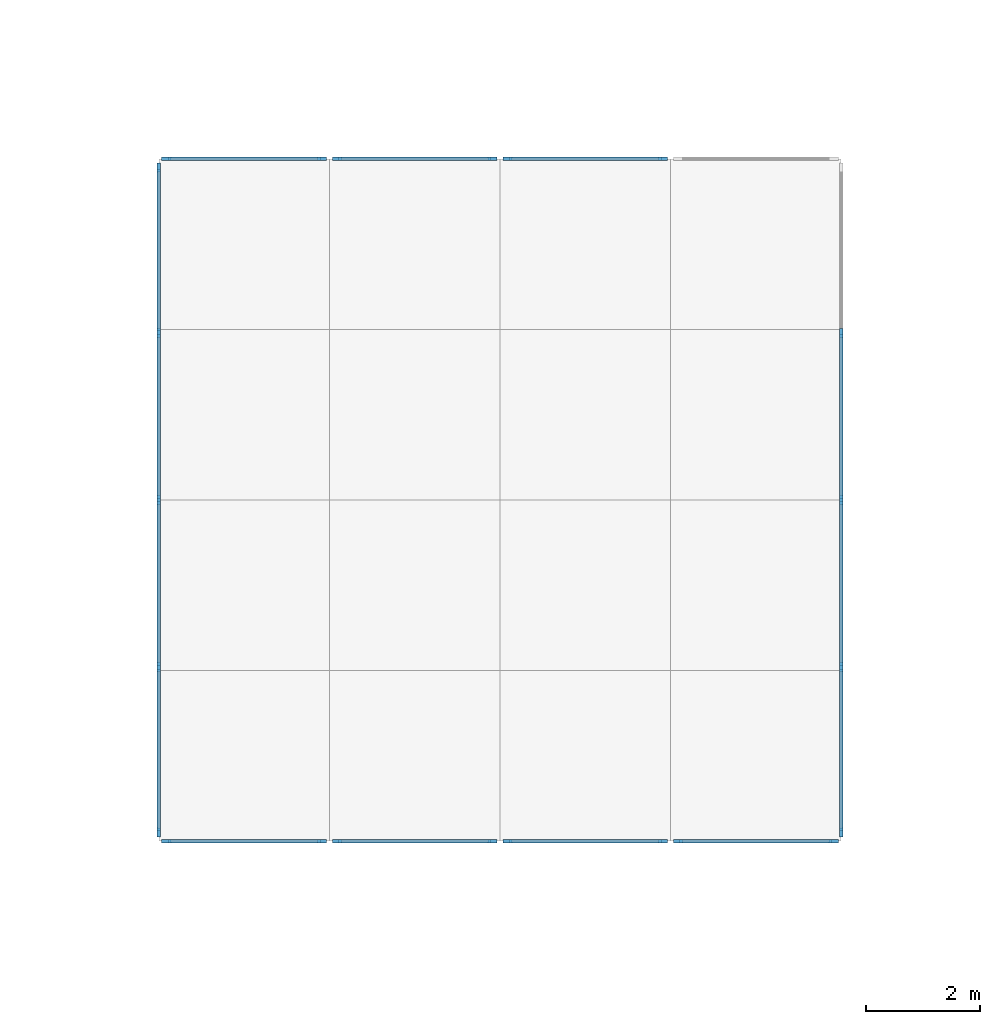
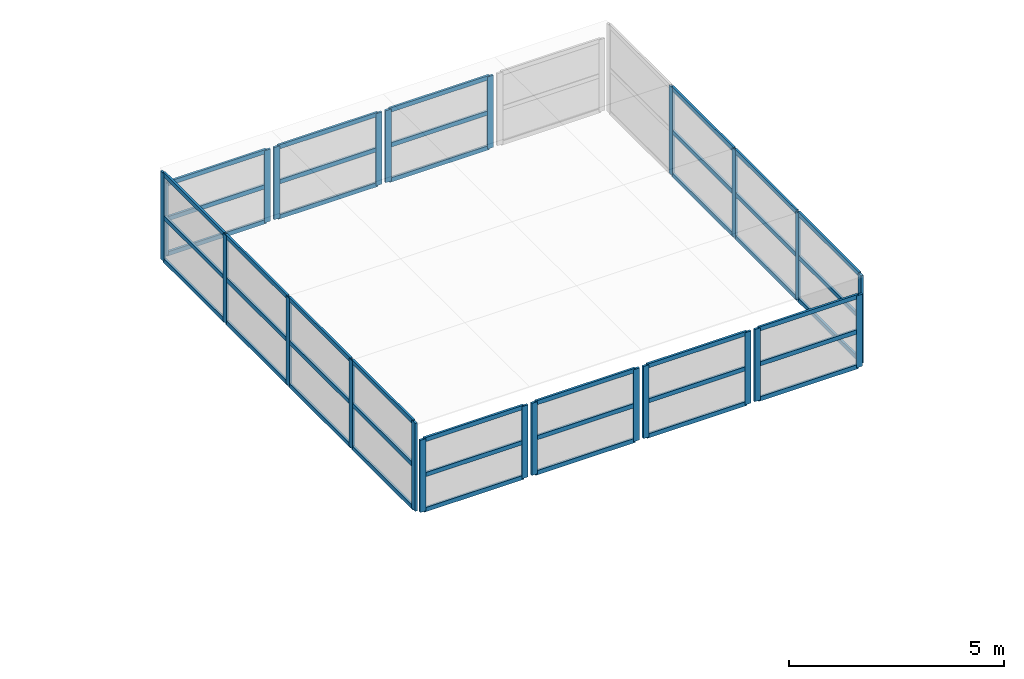
# One storey, part 43 of 91: 65 members, 9 elements without a shape of their own.
"""IFC4 building model written with IfcOpenShell, lengths in metres."""

from ifc_helpers import new_model, si_unit, direction, frame, origin, origin_2d, place, context, subcontext, project, spatial, rectangle, extrude, material, layer, layer_set, material_profile, profile_set, type_object, element, aggregate, save


model = new_model("IFC4")

# Units and contexts
model_context = context("Model", 3, precision=1e-05, world=origin(), true_north=direction((0.0, 1.0)))
body_context = subcontext(model_context, "Body", "Model", "MODEL_VIEW")
ifc_project = project(units=[si_unit("LENGTHUNIT", "METRE"), si_unit("AREAUNIT", "SQUARE_METRE"), si_unit("VOLUMEUNIT", "CUBIC_METRE"), si_unit("PLANEANGLEUNIT", "RADIAN"), si_unit("MASSUNIT", "GRAM", prefix="KILO")], contexts=[model_context])

# Site, building, storey
site_placement = place(None, origin())
site = spatial("IfcSite", under=ifc_project, at=site_placement, CompositionType="ELEMENT")
building_placement = place(site_placement, origin())
building = spatial("IfcBuilding", under=site, at=building_placement, Name="Ravi Spectrum Wholesale Market", CompositionType="ELEMENT")
storey_placement = place(building_placement, frame((0.0, 0.0, 16.199951171875)))
storey = spatial("IfcBuildingStorey", under=building, at=storey_placement, Name="ROOF PLANT LEVEL", CompositionType="ELEMENT", Elevation=16.199951171875)

# Curtain wall, members
ifc_material_1 = material(Name="Aluminium 6063-T6", Category="aluminium")
ifc_layer = layer(ifc_material_1, 0.14990234375)
ifc_layer_set = layer_set([ifc_layer], Name="Aluminium 6063-T6")
curtain_wall_type = type_object("IfcCurtainWallType", Name="Curtain wall 150", PredefinedType="NOTDEFINED", material=ifc_layer_set)
curtain_wall_1_placement = place(storey_placement, origin())
curtain_wall_1 = element("IfcCurtainWall", 1, at=curtain_wall_1_placement, inside=storey, type_object=curtain_wall_type, Name="AU-CW-ROOF-001", PredefinedType="NOTDEFINED")
ifc_material_2 = material(Name="Aluminium 6063-T6", Category="aluminium")
ifc_material_profile_1 = material_profile(ifc_material_2, rectangle(XDim=0.06005859375, YDim=0.159912109375, at=origin_2d()))
ifc_profile_set_1 = profile_set([ifc_material_profile_1], Name="Aluminium 6063-T6")
member_type_1 = type_object("IfcMemberType", Name="Mullion 60 x 160", PredefinedType="MULLION", material=ifc_profile_set_1)
member_1_placement = place(storey_placement, frame((174.1298828125, 210.0, 0.268798828125), z_axis=(0.0, 0.0, 1.0), x_axis=(0.0, 1.0, 0.0)))
member_1 = element("IfcMember", 2, at=member_1_placement, type_object=member_type_1, Name="AU-CW-ROOF-001 mullion 1", PredefinedType="MULLION", context=body_context, shape_type="SweptSolid", body=[
    extrude(rectangle(XDim=0.06005859375, YDim=0.159912109375, at=origin_2d()), origin(), (0.0, 0.0, 1.0), 2.05126953125),
])
member_2_placement = place(storey_placement, frame((176.8701171875, 210.0, 0.268798828125), z_axis=(0.0, 0.0, 1.0), x_axis=(0.0, 1.0, 0.0)))
member_2 = element("IfcMember", 3, at=member_2_placement, type_object=member_type_1, Name="AU-CW-ROOF-001 mullion 2", PredefinedType="MULLION", context=body_context, shape_type="SweptSolid", body=[
    extrude(rectangle(XDim=0.06005859375, YDim=0.159912109375, at=origin_2d()), origin(), (0.0, 0.0, 1.0), 2.05126953125),
])

curtain_wall_2_placement = place(storey_placement, origin())
curtain_wall_2 = element("IfcCurtainWall", 4, at=curtain_wall_2_placement, inside=storey, type_object=curtain_wall_type, Name="AU-CW-ROOF-002", PredefinedType="NOTDEFINED")
member_3_placement = place(storey_placement, frame((177.1298828125, 210.0, 0.268798828125), z_axis=(0.0, 0.0, 1.0), x_axis=(0.0, 1.0, 0.0)))
member_3 = element("IfcMember", 5, at=member_3_placement, type_object=member_type_1, Name="AU-CW-ROOF-002 mullion 1", PredefinedType="MULLION", context=body_context, shape_type="SweptSolid", body=[
    extrude(rectangle(XDim=0.06005859375, YDim=0.159912109375, at=origin_2d()), origin(), (0.0, 0.0, 1.0), 2.05126953125),
])
member_4_placement = place(storey_placement, frame((179.8701171875, 210.0, 0.268798828125), z_axis=(0.0, 0.0, 1.0), x_axis=(0.0, 1.0, 0.0)))
member_4 = element("IfcMember", 6, at=member_4_placement, type_object=member_type_1, Name="AU-CW-ROOF-002 mullion 2", PredefinedType="MULLION", context=body_context, shape_type="SweptSolid", body=[
    extrude(rectangle(XDim=0.06005859375, YDim=0.159912109375, at=origin_2d()), origin(), (0.0, 0.0, 1.0), 2.05126953125),
])

curtain_wall_3_placement = place(storey_placement, origin())
curtain_wall_3 = element("IfcCurtainWall", 7, at=curtain_wall_3_placement, inside=storey, type_object=curtain_wall_type, Name="AU-CW-ROOF-003", PredefinedType="NOTDEFINED")
member_5_placement = place(storey_placement, frame((180.1298828125, 210.0, 0.268798828125), z_axis=(0.0, 0.0, 1.0), x_axis=(0.0, 1.0, 0.0)))
member_5 = element("IfcMember", 8, at=member_5_placement, type_object=member_type_1, Name="AU-CW-ROOF-003 mullion 1", PredefinedType="MULLION", context=body_context, shape_type="SweptSolid", body=[
    extrude(rectangle(XDim=0.06005859375, YDim=0.159912109375, at=origin_2d()), origin(), (0.0, 0.0, 1.0), 2.05126953125),
])
member_6_placement = place(storey_placement, frame((182.8701171875, 210.0, 0.268798828125), z_axis=(0.0, 0.0, 1.0), x_axis=(0.0, 1.0, 0.0)))
member_6 = element("IfcMember", 9, at=member_6_placement, type_object=member_type_1, Name="AU-CW-ROOF-003 mullion 2", PredefinedType="MULLION", context=body_context, shape_type="SweptSolid", body=[
    extrude(rectangle(XDim=0.06005859375, YDim=0.159912109375, at=origin_2d()), origin(), (0.0, 0.0, 1.0), 2.05126953125),
])

curtain_wall_4_placement = place(storey_placement, origin())
curtain_wall_4 = element("IfcCurtainWall", 10, at=curtain_wall_4_placement, inside=storey, type_object=curtain_wall_type, Name="AU-CW-ROOF-004", PredefinedType="NOTDEFINED")
member_7_placement = place(storey_placement, frame((183.1298828125, 210.0, 0.268798828125), z_axis=(0.0, 0.0, 1.0), x_axis=(0.0, 1.0, 0.0)))
member_7 = element("IfcMember", 11, at=member_7_placement, type_object=member_type_1, Name="AU-CW-ROOF-004 mullion 1", PredefinedType="MULLION", context=body_context, shape_type="SweptSolid", body=[
    extrude(rectangle(XDim=0.06005859375, YDim=0.159912109375, at=origin_2d()), origin(), (0.0, 0.0, 1.0), 2.05126953125),
])
member_8_placement = place(storey_placement, frame((185.8701171875, 210.0, 0.268798828125), z_axis=(0.0, 0.0, 1.0), x_axis=(0.0, 1.0, 0.0)))
member_8 = element("IfcMember", 12, at=member_8_placement, type_object=member_type_1, Name="AU-CW-ROOF-004 mullion 2", PredefinedType="MULLION", context=body_context, shape_type="SweptSolid", body=[
    extrude(rectangle(XDim=0.06005859375, YDim=0.159912109375, at=origin_2d()), origin(), (0.0, 0.0, 1.0), 2.05126953125),
])

curtain_wall_5_placement = place(storey_placement, origin())
curtain_wall_5 = element("IfcCurtainWall", 13, at=curtain_wall_5_placement, inside=storey, type_object=curtain_wall_type, Name="AU-CW-ROOF-005", PredefinedType="NOTDEFINED")
member_9_placement = place(storey_placement, frame((174.1298828125, 222.0, 0.268798828125), z_axis=(0.0, 0.0, 1.0), x_axis=(0.0, 1.0, 0.0)))
member_9 = element("IfcMember", 14, at=member_9_placement, type_object=member_type_1, Name="AU-CW-ROOF-005 mullion 1", PredefinedType="MULLION", context=body_context, shape_type="SweptSolid", body=[
    extrude(rectangle(XDim=0.06005859375, YDim=0.159912109375, at=origin_2d()), origin(), (0.0, 0.0, 1.0), 2.05126953125),
])
member_10_placement = place(storey_placement, frame((176.8701171875, 222.0, 0.268798828125), z_axis=(0.0, 0.0, 1.0), x_axis=(0.0, 1.0, 0.0)))
member_10 = element("IfcMember", 15, at=member_10_placement, type_object=member_type_1, Name="AU-CW-ROOF-005 mullion 2", PredefinedType="MULLION", context=body_context, shape_type="SweptSolid", body=[
    extrude(rectangle(XDim=0.06005859375, YDim=0.159912109375, at=origin_2d()), origin(), (0.0, 0.0, 1.0), 2.05126953125),
])

curtain_wall_6_placement = place(storey_placement, origin())
curtain_wall_6 = element("IfcCurtainWall", 16, at=curtain_wall_6_placement, inside=storey, type_object=curtain_wall_type, Name="AU-CW-ROOF-006", PredefinedType="NOTDEFINED")
member_11_placement = place(storey_placement, frame((177.1298828125, 222.0, 0.268798828125), z_axis=(0.0, 0.0, 1.0), x_axis=(0.0, 1.0, 0.0)))
member_11 = element("IfcMember", 17, at=member_11_placement, type_object=member_type_1, Name="AU-CW-ROOF-006 mullion 1", PredefinedType="MULLION", context=body_context, shape_type="SweptSolid", body=[
    extrude(rectangle(XDim=0.06005859375, YDim=0.159912109375, at=origin_2d()), origin(), (0.0, 0.0, 1.0), 2.05126953125),
])
member_12_placement = place(storey_placement, frame((179.8701171875, 222.0, 0.268798828125), z_axis=(0.0, 0.0, 1.0), x_axis=(0.0, 1.0, 0.0)))
member_12 = element("IfcMember", 18, at=member_12_placement, type_object=member_type_1, Name="AU-CW-ROOF-006 mullion 2", PredefinedType="MULLION", context=body_context, shape_type="SweptSolid", body=[
    extrude(rectangle(XDim=0.06005859375, YDim=0.159912109375, at=origin_2d()), origin(), (0.0, 0.0, 1.0), 2.05126953125),
])

curtain_wall_7_placement = place(storey_placement, origin())
curtain_wall_7 = element("IfcCurtainWall", 19, at=curtain_wall_7_placement, inside=storey, type_object=curtain_wall_type, Name="AU-CW-ROOF-007", PredefinedType="NOTDEFINED")
member_13_placement = place(storey_placement, frame((180.1298828125, 222.0, 0.268798828125), z_axis=(0.0, 0.0, 1.0), x_axis=(0.0, 1.0, 0.0)))
member_13 = element("IfcMember", 20, at=member_13_placement, type_object=member_type_1, Name="AU-CW-ROOF-007 mullion 1", PredefinedType="MULLION", context=body_context, shape_type="SweptSolid", body=[
    extrude(rectangle(XDim=0.06005859375, YDim=0.159912109375, at=origin_2d()), origin(), (0.0, 0.0, 1.0), 2.05126953125),
])
member_14_placement = place(storey_placement, frame((182.8701171875, 222.0, 0.268798828125), z_axis=(0.0, 0.0, 1.0), x_axis=(0.0, 1.0, 0.0)))
member_14 = element("IfcMember", 21, at=member_14_placement, type_object=member_type_1, Name="AU-CW-ROOF-007 mullion 2", PredefinedType="MULLION", context=body_context, shape_type="SweptSolid", body=[
    extrude(rectangle(XDim=0.06005859375, YDim=0.159912109375, at=origin_2d()), origin(), (0.0, 0.0, 1.0), 2.05126953125),
])

curtain_wall_8_placement = place(storey_placement, origin())
curtain_wall_8 = element("IfcCurtainWall", 22, at=curtain_wall_8_placement, inside=storey, type_object=curtain_wall_type, Name="AU-CW-ROOF-009", PredefinedType="NOTDEFINED")
member_15_placement = place(storey_placement, frame((174.0, 210.14990234375, 0.268798828125), z_axis=(0.0, 0.0, 1.0), x_axis=(-1.0, 0.0, 0.0)))
member_15 = element("IfcMember", 23, at=member_15_placement, type_object=member_type_1, Name="AU-CW-ROOF-009 mullion 1", PredefinedType="MULLION", context=body_context, shape_type="SweptSolid", body=[
    extrude(rectangle(XDim=0.06005859375, YDim=0.159912109375, at=origin_2d()), origin(), (0.0, 0.0, 1.0), 2.501220703125),
])
member_16_placement = place(storey_placement, frame((174.0, 213.06005859375, 0.268798828125), z_axis=(0.0, 0.0, 1.0), x_axis=(-1.0, 0.0, 0.0)))
member_16 = element("IfcMember", 24, at=member_16_placement, type_object=member_type_1, Name="AU-CW-ROOF-009 mullion 2", PredefinedType="MULLION", context=body_context, shape_type="SweptSolid", body=[
    extrude(rectangle(XDim=0.06005859375, YDim=0.159912109375, at=origin_2d()), origin(), (0.0, 0.0, 1.0), 2.501220703125),
])
member_17_placement = place(storey_placement, frame((174.0, 216.0, 0.268798828125), z_axis=(0.0, 0.0, 1.0), x_axis=(-1.0, 0.0, 0.0)))
member_17 = element("IfcMember", 25, at=member_17_placement, type_object=member_type_1, Name="AU-CW-ROOF-009 mullion 3", PredefinedType="MULLION", context=body_context, shape_type="SweptSolid", body=[
    extrude(rectangle(XDim=0.06005859375, YDim=0.159912109375, at=origin_2d()), origin(), (0.0, 0.0, 1.0), 2.501220703125),
])
member_18_placement = place(storey_placement, frame((174.0, 218.93994140625, 0.268798828125), z_axis=(0.0, 0.0, 1.0), x_axis=(-1.0, 0.0, 0.0)))
member_18 = element("IfcMember", 26, at=member_18_placement, type_object=member_type_1, Name="AU-CW-ROOF-009 mullion 4", PredefinedType="MULLION", context=body_context, shape_type="SweptSolid", body=[
    extrude(rectangle(XDim=0.06005859375, YDim=0.159912109375, at=origin_2d()), origin(), (0.0, 0.0, 1.0), 2.501220703125),
])
member_19_placement = place(storey_placement, frame((174.0, 221.85009765625, 0.268798828125), z_axis=(0.0, 0.0, 1.0), x_axis=(-1.0, 0.0, 0.0)))
member_19 = element("IfcMember", 27, at=member_19_placement, type_object=member_type_1, Name="AU-CW-ROOF-009 mullion 5", PredefinedType="MULLION", context=body_context, shape_type="SweptSolid", body=[
    extrude(rectangle(XDim=0.06005859375, YDim=0.159912109375, at=origin_2d()), origin(), (0.0, 0.0, 1.0), 2.501220703125),
])

curtain_wall_9_placement = place(storey_placement, origin())
curtain_wall_9 = element("IfcCurtainWall", 28, at=curtain_wall_9_placement, inside=storey, type_object=curtain_wall_type, Name="AU-CW-ROOF-010", PredefinedType="NOTDEFINED")
member_20_placement = place(storey_placement, frame((186.0, 210.14990234375, 0.268798828125), z_axis=(0.0, 0.0, 1.0), x_axis=(-1.0, 0.0, 0.0)))
member_20 = element("IfcMember", 29, at=member_20_placement, type_object=member_type_1, Name="AU-CW-ROOF-010 mullion 1", PredefinedType="MULLION", context=body_context, shape_type="SweptSolid", body=[
    extrude(rectangle(XDim=0.06005859375, YDim=0.159912109375, at=origin_2d()), origin(), (0.0, 0.0, 1.0), 2.501220703125),
])
member_21_placement = place(storey_placement, frame((186.0, 213.06005859375, 0.268798828125), z_axis=(0.0, 0.0, 1.0), x_axis=(-1.0, 0.0, 0.0)))
member_21 = element("IfcMember", 30, at=member_21_placement, type_object=member_type_1, Name="AU-CW-ROOF-010 mullion 2", PredefinedType="MULLION", context=body_context, shape_type="SweptSolid", body=[
    extrude(rectangle(XDim=0.06005859375, YDim=0.159912109375, at=origin_2d()), origin(), (0.0, 0.0, 1.0), 2.501220703125),
])
member_22_placement = place(storey_placement, frame((186.0, 216.0, 0.268798828125), z_axis=(0.0, 0.0, 1.0), x_axis=(-1.0, 0.0, 0.0)))
member_22 = element("IfcMember", 31, at=member_22_placement, type_object=member_type_1, Name="AU-CW-ROOF-010 mullion 3", PredefinedType="MULLION", context=body_context, shape_type="SweptSolid", body=[
    extrude(rectangle(XDim=0.06005859375, YDim=0.159912109375, at=origin_2d()), origin(), (0.0, 0.0, 1.0), 2.501220703125),
])
member_23_placement = place(storey_placement, frame((186.0, 218.93994140625, 0.268798828125), z_axis=(0.0, 0.0, 1.0), x_axis=(-1.0, 0.0, 0.0)))
member_23 = element("IfcMember", 32, at=member_23_placement, type_object=member_type_1, Name="AU-CW-ROOF-010 mullion 4", PredefinedType="MULLION", context=body_context, shape_type="SweptSolid", body=[
    extrude(rectangle(XDim=0.06005859375, YDim=0.159912109375, at=origin_2d()), origin(), (0.0, 0.0, 1.0), 2.501220703125),
])

# Member
ifc_material_3 = material(Name="Aluminium 6063-T6", Category="aluminium")
ifc_material_profile_2 = material_profile(ifc_material_3, rectangle(XDim=0.06005859375, YDim=0.1201171875, at=origin_2d()))
ifc_profile_set_2 = profile_set([ifc_material_profile_2], Name="Aluminium 6063-T6")
member_type_2 = type_object("IfcMemberType", Name="Transom 60 x 120", PredefinedType="USERDEFINED", material=ifc_profile_set_2)
member_24_placement = place(storey_placement, frame((174.159912109375, 210.0, 0.298583984375), z_axis=(1.0, 0.0, 0.0), x_axis=(0.0, 1.0, 0.0)))
member_24 = element("IfcMember", 33, at=member_24_placement, type_object=member_type_2, Name="AU-CW-ROOF-001 transom 1.1", ObjectType="TRANSOM", PredefinedType="USERDEFINED", context=body_context, shape_type="SweptSolid", body=[
    extrude(rectangle(XDim=0.06005859375, YDim=0.1201171875, at=origin_2d()), origin(), (0.0, 0.0, 1.0), 2.68017578125),
])

member_25_placement = place(storey_placement, frame((174.159912109375, 210.0, 1.29443359375), z_axis=(1.0, 0.0, 0.0), x_axis=(0.0, 1.0, 0.0)))
member_25 = element("IfcMember", 34, at=member_25_placement, type_object=member_type_2, Name="AU-CW-ROOF-001 transom 1.2", ObjectType="TRANSOM", PredefinedType="USERDEFINED", context=body_context, shape_type="SweptSolid", body=[
    extrude(rectangle(XDim=0.06005859375, YDim=0.1201171875, at=origin_2d()), origin(), (0.0, 0.0, 1.0), 2.68017578125),
])

member_26_placement = place(storey_placement, frame((174.159912109375, 210.0, 2.2900390625), z_axis=(1.0, 0.0, 0.0), x_axis=(0.0, 1.0, 0.0)))
member_26 = element("IfcMember", 35, at=member_26_placement, type_object=member_type_2, Name="AU-CW-ROOF-001 transom 1.3", ObjectType="TRANSOM", PredefinedType="USERDEFINED", context=body_context, shape_type="SweptSolid", body=[
    extrude(rectangle(XDim=0.06005859375, YDim=0.1201171875, at=origin_2d()), origin(), (0.0, 0.0, 1.0), 2.68017578125),
])

aggregate(curtain_wall_1, [member_1, member_2, member_24, member_25, member_26])

member_27_placement = place(storey_placement, frame((177.159912109375, 210.0, 0.298583984375), z_axis=(1.0, 0.0, 0.0), x_axis=(0.0, 1.0, 0.0)))
member_27 = element("IfcMember", 36, at=member_27_placement, type_object=member_type_2, Name="AU-CW-ROOF-002 transom 1.1", ObjectType="TRANSOM", PredefinedType="USERDEFINED", context=body_context, shape_type="SweptSolid", body=[
    extrude(rectangle(XDim=0.06005859375, YDim=0.1201171875, at=origin_2d()), origin(), (0.0, 0.0, 1.0), 2.68017578125),
])

member_28_placement = place(storey_placement, frame((177.159912109375, 210.0, 1.29443359375), z_axis=(1.0, 0.0, 0.0), x_axis=(0.0, 1.0, 0.0)))
member_28 = element("IfcMember", 37, at=member_28_placement, type_object=member_type_2, Name="AU-CW-ROOF-002 transom 1.2", ObjectType="TRANSOM", PredefinedType="USERDEFINED", context=body_context, shape_type="SweptSolid", body=[
    extrude(rectangle(XDim=0.06005859375, YDim=0.1201171875, at=origin_2d()), origin(), (0.0, 0.0, 1.0), 2.68017578125),
])

member_29_placement = place(storey_placement, frame((177.159912109375, 210.0, 2.2900390625), z_axis=(1.0, 0.0, 0.0), x_axis=(0.0, 1.0, 0.0)))
member_29 = element("IfcMember", 38, at=member_29_placement, type_object=member_type_2, Name="AU-CW-ROOF-002 transom 1.3", ObjectType="TRANSOM", PredefinedType="USERDEFINED", context=body_context, shape_type="SweptSolid", body=[
    extrude(rectangle(XDim=0.06005859375, YDim=0.1201171875, at=origin_2d()), origin(), (0.0, 0.0, 1.0), 2.68017578125),
])

aggregate(curtain_wall_2, [member_3, member_4, member_27, member_28, member_29])

member_30_placement = place(storey_placement, frame((180.159912109375, 210.0, 0.298583984375), z_axis=(1.0, 0.0, 0.0), x_axis=(0.0, 1.0, 0.0)))
member_30 = element("IfcMember", 39, at=member_30_placement, type_object=member_type_2, Name="AU-CW-ROOF-003 transom 1.1", ObjectType="TRANSOM", PredefinedType="USERDEFINED", context=body_context, shape_type="SweptSolid", body=[
    extrude(rectangle(XDim=0.06005859375, YDim=0.1201171875, at=origin_2d()), origin(), (0.0, 0.0, 1.0), 2.68017578125),
])

member_31_placement = place(storey_placement, frame((180.159912109375, 210.0, 1.29443359375), z_axis=(1.0, 0.0, 0.0), x_axis=(0.0, 1.0, 0.0)))
member_31 = element("IfcMember", 40, at=member_31_placement, type_object=member_type_2, Name="AU-CW-ROOF-003 transom 1.2", ObjectType="TRANSOM", PredefinedType="USERDEFINED", context=body_context, shape_type="SweptSolid", body=[
    extrude(rectangle(XDim=0.06005859375, YDim=0.1201171875, at=origin_2d()), origin(), (0.0, 0.0, 1.0), 2.68017578125),
])

member_32_placement = place(storey_placement, frame((180.159912109375, 210.0, 2.2900390625), z_axis=(1.0, 0.0, 0.0), x_axis=(0.0, 1.0, 0.0)))
member_32 = element("IfcMember", 41, at=member_32_placement, type_object=member_type_2, Name="AU-CW-ROOF-003 transom 1.3", ObjectType="TRANSOM", PredefinedType="USERDEFINED", context=body_context, shape_type="SweptSolid", body=[
    extrude(rectangle(XDim=0.06005859375, YDim=0.1201171875, at=origin_2d()), origin(), (0.0, 0.0, 1.0), 2.68017578125),
])

aggregate(curtain_wall_3, [member_5, member_6, member_30, member_31, member_32])

member_33_placement = place(storey_placement, frame((183.159912109375, 210.0, 0.298583984375), z_axis=(1.0, 0.0, 0.0), x_axis=(0.0, 1.0, 0.0)))
member_33 = element("IfcMember", 42, at=member_33_placement, type_object=member_type_2, Name="AU-CW-ROOF-004 transom 1.1", ObjectType="TRANSOM", PredefinedType="USERDEFINED", context=body_context, shape_type="SweptSolid", body=[
    extrude(rectangle(XDim=0.06005859375, YDim=0.1201171875, at=origin_2d()), origin(), (0.0, 0.0, 1.0), 2.68017578125),
])

member_34_placement = place(storey_placement, frame((183.159912109375, 210.0, 1.29443359375), z_axis=(1.0, 0.0, 0.0), x_axis=(0.0, 1.0, 0.0)))
member_34 = element("IfcMember", 43, at=member_34_placement, type_object=member_type_2, Name="AU-CW-ROOF-004 transom 1.2", ObjectType="TRANSOM", PredefinedType="USERDEFINED", context=body_context, shape_type="SweptSolid", body=[
    extrude(rectangle(XDim=0.06005859375, YDim=0.1201171875, at=origin_2d()), origin(), (0.0, 0.0, 1.0), 2.68017578125),
])

member_35_placement = place(storey_placement, frame((183.159912109375, 210.0, 2.2900390625), z_axis=(1.0, 0.0, 0.0), x_axis=(0.0, 1.0, 0.0)))
member_35 = element("IfcMember", 44, at=member_35_placement, type_object=member_type_2, Name="AU-CW-ROOF-004 transom 1.3", ObjectType="TRANSOM", PredefinedType="USERDEFINED", context=body_context, shape_type="SweptSolid", body=[
    extrude(rectangle(XDim=0.06005859375, YDim=0.1201171875, at=origin_2d()), origin(), (0.0, 0.0, 1.0), 2.68017578125),
])

aggregate(curtain_wall_4, [member_7, member_8, member_33, member_34, member_35])

member_36_placement = place(storey_placement, frame((174.159912109375, 222.0, 0.298583984375), z_axis=(1.0, 0.0, 0.0), x_axis=(0.0, 1.0, 0.0)))
member_36 = element("IfcMember", 45, at=member_36_placement, type_object=member_type_2, Name="AU-CW-ROOF-005 transom 1.1", ObjectType="TRANSOM", PredefinedType="USERDEFINED", context=body_context, shape_type="SweptSolid", body=[
    extrude(rectangle(XDim=0.06005859375, YDim=0.1201171875, at=origin_2d()), origin(), (0.0, 0.0, 1.0), 2.68017578125),
])

member_37_placement = place(storey_placement, frame((174.159912109375, 222.0, 1.29443359375), z_axis=(1.0, 0.0, 0.0), x_axis=(0.0, 1.0, 0.0)))
member_37 = element("IfcMember", 46, at=member_37_placement, type_object=member_type_2, Name="AU-CW-ROOF-005 transom 1.2", ObjectType="TRANSOM", PredefinedType="USERDEFINED", context=body_context, shape_type="SweptSolid", body=[
    extrude(rectangle(XDim=0.06005859375, YDim=0.1201171875, at=origin_2d()), origin(), (0.0, 0.0, 1.0), 2.68017578125),
])

member_38_placement = place(storey_placement, frame((174.159912109375, 222.0, 2.2900390625), z_axis=(1.0, 0.0, 0.0), x_axis=(0.0, 1.0, 0.0)))
member_38 = element("IfcMember", 47, at=member_38_placement, type_object=member_type_2, Name="AU-CW-ROOF-005 transom 1.3", ObjectType="TRANSOM", PredefinedType="USERDEFINED", context=body_context, shape_type="SweptSolid", body=[
    extrude(rectangle(XDim=0.06005859375, YDim=0.1201171875, at=origin_2d()), origin(), (0.0, 0.0, 1.0), 2.68017578125),
])

aggregate(curtain_wall_5, [member_9, member_10, member_36, member_37, member_38])

member_39_placement = place(storey_placement, frame((177.159912109375, 222.0, 0.298583984375), z_axis=(1.0, 0.0, 0.0), x_axis=(0.0, 1.0, 0.0)))
member_39 = element("IfcMember", 48, at=member_39_placement, type_object=member_type_2, Name="AU-CW-ROOF-006 transom 1.1", ObjectType="TRANSOM", PredefinedType="USERDEFINED", context=body_context, shape_type="SweptSolid", body=[
    extrude(rectangle(XDim=0.06005859375, YDim=0.1201171875, at=origin_2d()), origin(), (0.0, 0.0, 1.0), 2.68017578125),
])

member_40_placement = place(storey_placement, frame((177.159912109375, 222.0, 1.29443359375), z_axis=(1.0, 0.0, 0.0), x_axis=(0.0, 1.0, 0.0)))
member_40 = element("IfcMember", 49, at=member_40_placement, type_object=member_type_2, Name="AU-CW-ROOF-006 transom 1.2", ObjectType="TRANSOM", PredefinedType="USERDEFINED", context=body_context, shape_type="SweptSolid", body=[
    extrude(rectangle(XDim=0.06005859375, YDim=0.1201171875, at=origin_2d()), origin(), (0.0, 0.0, 1.0), 2.68017578125),
])

member_41_placement = place(storey_placement, frame((177.159912109375, 222.0, 2.2900390625), z_axis=(1.0, 0.0, 0.0), x_axis=(0.0, 1.0, 0.0)))
member_41 = element("IfcMember", 50, at=member_41_placement, type_object=member_type_2, Name="AU-CW-ROOF-006 transom 1.3", ObjectType="TRANSOM", PredefinedType="USERDEFINED", context=body_context, shape_type="SweptSolid", body=[
    extrude(rectangle(XDim=0.06005859375, YDim=0.1201171875, at=origin_2d()), origin(), (0.0, 0.0, 1.0), 2.68017578125),
])

aggregate(curtain_wall_6, [member_11, member_12, member_39, member_40, member_41])

member_42_placement = place(storey_placement, frame((180.159912109375, 222.0, 0.298583984375), z_axis=(1.0, 0.0, 0.0), x_axis=(0.0, 1.0, 0.0)))
member_42 = element("IfcMember", 51, at=member_42_placement, type_object=member_type_2, Name="AU-CW-ROOF-007 transom 1.1", ObjectType="TRANSOM", PredefinedType="USERDEFINED", context=body_context, shape_type="SweptSolid", body=[
    extrude(rectangle(XDim=0.06005859375, YDim=0.1201171875, at=origin_2d()), origin(), (0.0, 0.0, 1.0), 2.68017578125),
])

member_43_placement = place(storey_placement, frame((180.159912109375, 222.0, 1.29443359375), z_axis=(1.0, 0.0, 0.0), x_axis=(0.0, 1.0, 0.0)))
member_43 = element("IfcMember", 52, at=member_43_placement, type_object=member_type_2, Name="AU-CW-ROOF-007 transom 1.2", ObjectType="TRANSOM", PredefinedType="USERDEFINED", context=body_context, shape_type="SweptSolid", body=[
    extrude(rectangle(XDim=0.06005859375, YDim=0.1201171875, at=origin_2d()), origin(), (0.0, 0.0, 1.0), 2.68017578125),
])

member_44_placement = place(storey_placement, frame((180.159912109375, 222.0, 2.2900390625), z_axis=(1.0, 0.0, 0.0), x_axis=(0.0, 1.0, 0.0)))
member_44 = element("IfcMember", 53, at=member_44_placement, type_object=member_type_2, Name="AU-CW-ROOF-007 transom 1.3", ObjectType="TRANSOM", PredefinedType="USERDEFINED", context=body_context, shape_type="SweptSolid", body=[
    extrude(rectangle(XDim=0.06005859375, YDim=0.1201171875, at=origin_2d()), origin(), (0.0, 0.0, 1.0), 2.68017578125),
])

aggregate(curtain_wall_7, [member_13, member_14, member_42, member_43, member_44])

member_45_placement = place(storey_placement, frame((174.0, 210.179931640625, 0.298583984375), z_axis=(0.0, 1.0, 0.0), x_axis=(-1.0, 0.0, 0.0)))
member_45 = element("IfcMember", 54, at=member_45_placement, type_object=member_type_2, Name="AU-CW-ROOF-009 transom 1.1", ObjectType="TRANSOM", PredefinedType="USERDEFINED", context=body_context, shape_type="SweptSolid", body=[
    extrude(rectangle(XDim=0.06005859375, YDim=0.1201171875, at=origin_2d()), origin(), (0.0, 0.0, 1.0), 2.85009765625),
])

member_46_placement = place(storey_placement, frame((174.0, 210.179931640625, 1.519287109375), z_axis=(0.0, 1.0, 0.0), x_axis=(-1.0, 0.0, 0.0)))
member_46 = element("IfcMember", 55, at=member_46_placement, type_object=member_type_2, Name="AU-CW-ROOF-009 transom 1.2", ObjectType="TRANSOM", PredefinedType="USERDEFINED", context=body_context, shape_type="SweptSolid", body=[
    extrude(rectangle(XDim=0.06005859375, YDim=0.1201171875, at=origin_2d()), origin(), (0.0, 0.0, 1.0), 2.85009765625),
])

member_47_placement = place(storey_placement, frame((174.0, 210.179931640625, 2.739990234375), z_axis=(0.0, 1.0, 0.0), x_axis=(-1.0, 0.0, 0.0)))
member_47 = element("IfcMember", 56, at=member_47_placement, type_object=member_type_2, Name="AU-CW-ROOF-009 transom 1.3", ObjectType="TRANSOM", PredefinedType="USERDEFINED", context=body_context, shape_type="SweptSolid", body=[
    extrude(rectangle(XDim=0.06005859375, YDim=0.1201171875, at=origin_2d()), origin(), (0.0, 0.0, 1.0), 2.85009765625),
])

member_48_placement = place(storey_placement, frame((174.0, 213.090087890625, 0.298583984375), z_axis=(0.0, 1.0, 0.0), x_axis=(-1.0, 0.0, 0.0)))
member_48 = element("IfcMember", 57, at=member_48_placement, type_object=member_type_2, Name="AU-CW-ROOF-009 transom 2.1", ObjectType="TRANSOM", PredefinedType="USERDEFINED", context=body_context, shape_type="SweptSolid", body=[
    extrude(rectangle(XDim=0.06005859375, YDim=0.1201171875, at=origin_2d()), origin(), (0.0, 0.0, 1.0), 2.8798828125),
])

member_49_placement = place(storey_placement, frame((174.0, 213.090087890625, 1.519287109375), z_axis=(0.0, 1.0, 0.0), x_axis=(-1.0, 0.0, 0.0)))
member_49 = element("IfcMember", 58, at=member_49_placement, type_object=member_type_2, Name="AU-CW-ROOF-009 transom 2.2", ObjectType="TRANSOM", PredefinedType="USERDEFINED", context=body_context, shape_type="SweptSolid", body=[
    extrude(rectangle(XDim=0.06005859375, YDim=0.1201171875, at=origin_2d()), origin(), (0.0, 0.0, 1.0), 2.8798828125),
])

member_50_placement = place(storey_placement, frame((174.0, 213.090087890625, 2.739990234375), z_axis=(0.0, 1.0, 0.0), x_axis=(-1.0, 0.0, 0.0)))
member_50 = element("IfcMember", 59, at=member_50_placement, type_object=member_type_2, Name="AU-CW-ROOF-009 transom 2.3", ObjectType="TRANSOM", PredefinedType="USERDEFINED", context=body_context, shape_type="SweptSolid", body=[
    extrude(rectangle(XDim=0.06005859375, YDim=0.1201171875, at=origin_2d()), origin(), (0.0, 0.0, 1.0), 2.8798828125),
])

member_51_placement = place(storey_placement, frame((174.0, 216.030029296875, 0.298583984375), z_axis=(0.0, 1.0, 0.0), x_axis=(-1.0, 0.0, 0.0)))
member_51 = element("IfcMember", 60, at=member_51_placement, type_object=member_type_2, Name="AU-CW-ROOF-009 transom 3.1", ObjectType="TRANSOM", PredefinedType="USERDEFINED", context=body_context, shape_type="SweptSolid", body=[
    extrude(rectangle(XDim=0.06005859375, YDim=0.1201171875, at=origin_2d()), origin(), (0.0, 0.0, 1.0), 2.8798828125),
])

member_52_placement = place(storey_placement, frame((174.0, 216.030029296875, 1.519287109375), z_axis=(0.0, 1.0, 0.0), x_axis=(-1.0, 0.0, 0.0)))
member_52 = element("IfcMember", 61, at=member_52_placement, type_object=member_type_2, Name="AU-CW-ROOF-009 transom 3.2", ObjectType="TRANSOM", PredefinedType="USERDEFINED", context=body_context, shape_type="SweptSolid", body=[
    extrude(rectangle(XDim=0.06005859375, YDim=0.1201171875, at=origin_2d()), origin(), (0.0, 0.0, 1.0), 2.8798828125),
])

member_53_placement = place(storey_placement, frame((174.0, 216.030029296875, 2.739990234375), z_axis=(0.0, 1.0, 0.0), x_axis=(-1.0, 0.0, 0.0)))
member_53 = element("IfcMember", 62, at=member_53_placement, type_object=member_type_2, Name="AU-CW-ROOF-009 transom 3.3", ObjectType="TRANSOM", PredefinedType="USERDEFINED", context=body_context, shape_type="SweptSolid", body=[
    extrude(rectangle(XDim=0.06005859375, YDim=0.1201171875, at=origin_2d()), origin(), (0.0, 0.0, 1.0), 2.8798828125),
])

member_54_placement = place(storey_placement, frame((174.0, 218.969970703125, 0.298583984375), z_axis=(0.0, 1.0, 0.0), x_axis=(-1.0, 0.0, 0.0)))
member_54 = element("IfcMember", 63, at=member_54_placement, type_object=member_type_2, Name="AU-CW-ROOF-009 transom 4.1", ObjectType="TRANSOM", PredefinedType="USERDEFINED", context=body_context, shape_type="SweptSolid", body=[
    extrude(rectangle(XDim=0.06005859375, YDim=0.1201171875, at=origin_2d()), origin(), (0.0, 0.0, 1.0), 2.85009765625),
])

member_55_placement = place(storey_placement, frame((174.0, 218.969970703125, 1.519287109375), z_axis=(0.0, 1.0, 0.0), x_axis=(-1.0, 0.0, 0.0)))
member_55 = element("IfcMember", 64, at=member_55_placement, type_object=member_type_2, Name="AU-CW-ROOF-009 transom 4.2", ObjectType="TRANSOM", PredefinedType="USERDEFINED", context=body_context, shape_type="SweptSolid", body=[
    extrude(rectangle(XDim=0.06005859375, YDim=0.1201171875, at=origin_2d()), origin(), (0.0, 0.0, 1.0), 2.85009765625),
])

member_56_placement = place(storey_placement, frame((174.0, 218.969970703125, 2.739990234375), z_axis=(0.0, 1.0, 0.0), x_axis=(-1.0, 0.0, 0.0)))
member_56 = element("IfcMember", 65, at=member_56_placement, type_object=member_type_2, Name="AU-CW-ROOF-009 transom 4.3", ObjectType="TRANSOM", PredefinedType="USERDEFINED", context=body_context, shape_type="SweptSolid", body=[
    extrude(rectangle(XDim=0.06005859375, YDim=0.1201171875, at=origin_2d()), origin(), (0.0, 0.0, 1.0), 2.85009765625),
])

aggregate(curtain_wall_8, [member_15, member_16, member_17, member_18, member_19, member_45, member_46, member_47, member_48, member_49, member_50, member_51, member_52, member_53, member_54, member_55, member_56])

member_57_placement = place(storey_placement, frame((186.0, 210.179931640625, 0.298583984375), z_axis=(0.0, 1.0, 0.0), x_axis=(-1.0, 0.0, 0.0)))
member_57 = element("IfcMember", 66, at=member_57_placement, type_object=member_type_2, Name="AU-CW-ROOF-010 transom 1.1", ObjectType="TRANSOM", PredefinedType="USERDEFINED", context=body_context, shape_type="SweptSolid", body=[
    extrude(rectangle(XDim=0.06005859375, YDim=0.1201171875, at=origin_2d()), origin(), (0.0, 0.0, 1.0), 2.85009765625),
])

member_58_placement = place(storey_placement, frame((186.0, 210.179931640625, 1.519287109375), z_axis=(0.0, 1.0, 0.0), x_axis=(-1.0, 0.0, 0.0)))
member_58 = element("IfcMember", 67, at=member_58_placement, type_object=member_type_2, Name="AU-CW-ROOF-010 transom 1.2", ObjectType="TRANSOM", PredefinedType="USERDEFINED", context=body_context, shape_type="SweptSolid", body=[
    extrude(rectangle(XDim=0.06005859375, YDim=0.1201171875, at=origin_2d()), origin(), (0.0, 0.0, 1.0), 2.85009765625),
])

member_59_placement = place(storey_placement, frame((186.0, 210.179931640625, 2.739990234375), z_axis=(0.0, 1.0, 0.0), x_axis=(-1.0, 0.0, 0.0)))
member_59 = element("IfcMember", 68, at=member_59_placement, type_object=member_type_2, Name="AU-CW-ROOF-010 transom 1.3", ObjectType="TRANSOM", PredefinedType="USERDEFINED", context=body_context, shape_type="SweptSolid", body=[
    extrude(rectangle(XDim=0.06005859375, YDim=0.1201171875, at=origin_2d()), origin(), (0.0, 0.0, 1.0), 2.85009765625),
])

member_60_placement = place(storey_placement, frame((186.0, 213.090087890625, 0.298583984375), z_axis=(0.0, 1.0, 0.0), x_axis=(-1.0, 0.0, 0.0)))
member_60 = element("IfcMember", 69, at=member_60_placement, type_object=member_type_2, Name="AU-CW-ROOF-010 transom 2.1", ObjectType="TRANSOM", PredefinedType="USERDEFINED", context=body_context, shape_type="SweptSolid", body=[
    extrude(rectangle(XDim=0.06005859375, YDim=0.1201171875, at=origin_2d()), origin(), (0.0, 0.0, 1.0), 2.8798828125),
])

member_61_placement = place(storey_placement, frame((186.0, 213.090087890625, 1.519287109375), z_axis=(0.0, 1.0, 0.0), x_axis=(-1.0, 0.0, 0.0)))
member_61 = element("IfcMember", 70, at=member_61_placement, type_object=member_type_2, Name="AU-CW-ROOF-010 transom 2.2", ObjectType="TRANSOM", PredefinedType="USERDEFINED", context=body_context, shape_type="SweptSolid", body=[
    extrude(rectangle(XDim=0.06005859375, YDim=0.1201171875, at=origin_2d()), origin(), (0.0, 0.0, 1.0), 2.8798828125),
])

member_62_placement = place(storey_placement, frame((186.0, 213.090087890625, 2.739990234375), z_axis=(0.0, 1.0, 0.0), x_axis=(-1.0, 0.0, 0.0)))
member_62 = element("IfcMember", 71, at=member_62_placement, type_object=member_type_2, Name="AU-CW-ROOF-010 transom 2.3", ObjectType="TRANSOM", PredefinedType="USERDEFINED", context=body_context, shape_type="SweptSolid", body=[
    extrude(rectangle(XDim=0.06005859375, YDim=0.1201171875, at=origin_2d()), origin(), (0.0, 0.0, 1.0), 2.8798828125),
])

member_63_placement = place(storey_placement, frame((186.0, 216.030029296875, 0.298583984375), z_axis=(0.0, 1.0, 0.0), x_axis=(-1.0, 0.0, 0.0)))
member_63 = element("IfcMember", 72, at=member_63_placement, type_object=member_type_2, Name="AU-CW-ROOF-010 transom 3.1", ObjectType="TRANSOM", PredefinedType="USERDEFINED", context=body_context, shape_type="SweptSolid", body=[
    extrude(rectangle(XDim=0.06005859375, YDim=0.1201171875, at=origin_2d()), origin(), (0.0, 0.0, 1.0), 2.8798828125),
])

member_64_placement = place(storey_placement, frame((186.0, 216.030029296875, 1.519287109375), z_axis=(0.0, 1.0, 0.0), x_axis=(-1.0, 0.0, 0.0)))
member_64 = element("IfcMember", 73, at=member_64_placement, type_object=member_type_2, Name="AU-CW-ROOF-010 transom 3.2", ObjectType="TRANSOM", PredefinedType="USERDEFINED", context=body_context, shape_type="SweptSolid", body=[
    extrude(rectangle(XDim=0.06005859375, YDim=0.1201171875, at=origin_2d()), origin(), (0.0, 0.0, 1.0), 2.8798828125),
])

member_65_placement = place(storey_placement, frame((186.0, 216.030029296875, 2.739990234375), z_axis=(0.0, 1.0, 0.0), x_axis=(-1.0, 0.0, 0.0)))
member_65 = element("IfcMember", 74, at=member_65_placement, type_object=member_type_2, Name="AU-CW-ROOF-010 transom 3.3", ObjectType="TRANSOM", PredefinedType="USERDEFINED", context=body_context, shape_type="SweptSolid", body=[
    extrude(rectangle(XDim=0.06005859375, YDim=0.1201171875, at=origin_2d()), origin(), (0.0, 0.0, 1.0), 2.8798828125),
])

aggregate(curtain_wall_9, [member_20, member_21, member_22, member_23, member_57, member_58, member_59, member_60, member_61, member_62, member_63, member_64, member_65])

save(model, "model.ifc")
